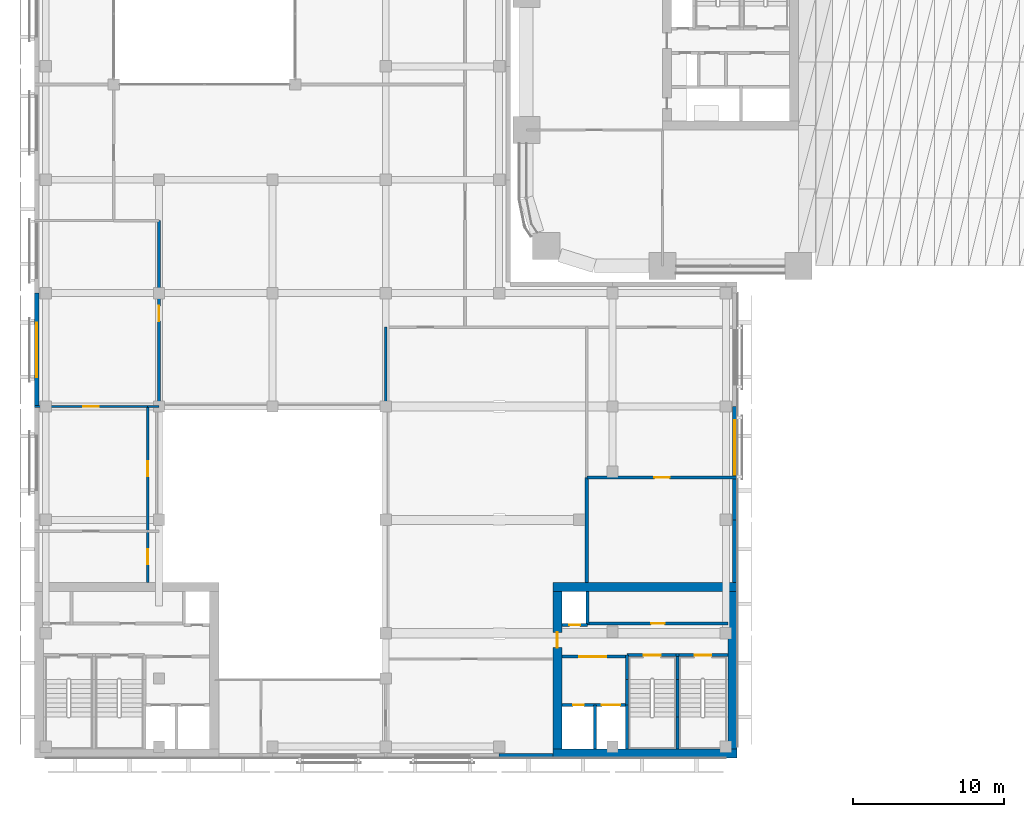
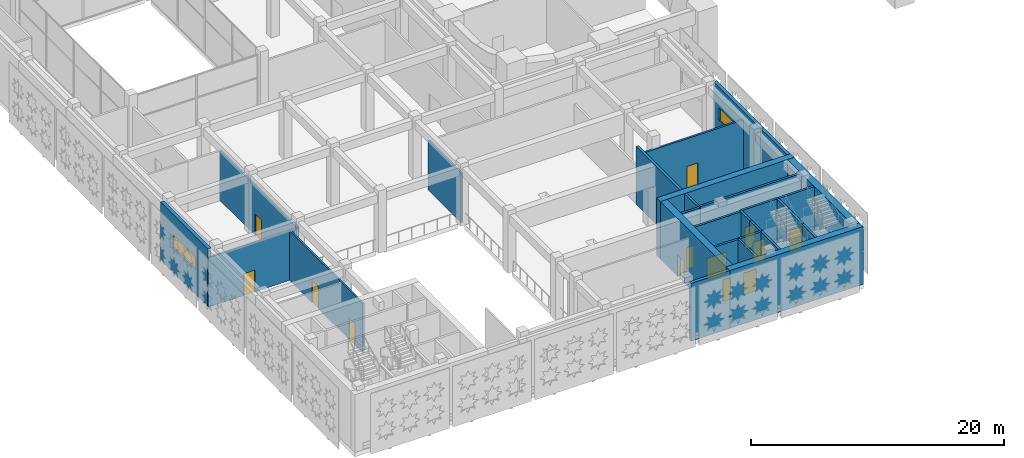
# One storey, part 15 of 46: 30 walls, 13 doors, 2 windows, 15 openings.
"""IFC4 building model written with IfcOpenShell, lengths in metres."""

from ifc_helpers import new_model, si_unit, direction, frame, frame_2d, origin, place, context, subcontext, project, spatial, rectangle, extrude, material, layer, layer_set, type_object, element, fill, save


model = new_model("IFC4")

# Units and contexts
model_context = context("Model", 3, precision=1e-05, world=origin(), true_north=direction((0.0, 1.0)))
body_context = subcontext(model_context, "Body", "Model", "MODEL_VIEW")
ifc_project = project(units=[si_unit("LENGTHUNIT", "METRE"), si_unit("AREAUNIT", "SQUARE_METRE"), si_unit("VOLUMEUNIT", "CUBIC_METRE"), si_unit("PLANEANGLEUNIT", "RADIAN"), si_unit("MASSUNIT", "GRAM", prefix="KILO")], contexts=[model_context])

# Site, building, storey
site_placement = place(None, origin())
site = spatial("IfcSite", under=ifc_project, at=site_placement, CompositionType="ELEMENT")
building_placement = place(site_placement, origin())
building = spatial("IfcBuilding", under=site, at=building_placement, Name="Tessera Arch", CompositionType="ELEMENT")
storey_placement = place(building_placement, frame((0.0, 0.0, 8.0)))
storey = spatial("IfcBuildingStorey", under=building, at=storey_placement, Name="L01", CompositionType="ELEMENT", Elevation=8.0)

# Wall, opening, door
ifc_material_1 = material(Name="Gypsum board on steel stud", Category="steel")
ifc_layer_1 = layer(ifc_material_1, 0.125)
ifc_layer_set_1 = layer_set([ifc_layer_1], Name="Core partition 125 EI 60")
wall_type_1 = type_object("IfcWallType", Name="Core partition 125 EI 60", PredefinedType="PARTITIONING", material=ifc_layer_set_1)
wall_1_placement = place(storey_placement, frame((2.35009765625, -25.85009765625, 0.0), z_axis=(0.0, 0.0, 1.0), x_axis=(1.0, 0.0, 0.0)))
wall_1 = element("IfcWall", 1, at=wall_1_placement, inside=storey, type_object=wall_type_1, Name="L01 M3 partition wall 10", PredefinedType="PARTITIONING", context=body_context, shape_type="SweptSolid", body=[
    extrude(rectangle(XDim=4.2998046875, YDim=0.199951171875, at=frame_2d((2.14990234375, 0.0))), origin(), (0.0, 0.0, 1.0), 5.590087890625),
])
opening_1_placement = place(wall_1_placement, frame((1.14990234375, 0.0, 0.0)))
opening_1 = element("IfcOpeningElement", 2, at=opening_1_placement, cuts=wall_1, Name="Opening L01-C64", PredefinedType="OPENING", context=body_context, shape_type="SweptSolid", body=[
    extrude(rectangle(XDim=1.800048828125, YDim=2.10009765625, at=frame_2d((0.89990234375, 1.050048828125))), frame((0.0, 0.10986328125, 0.0), z_axis=(0.0, -1.0, 0.0), x_axis=(1.0, 0.0, 0.0)), (0.0, 0.0, 1.0), 0.219970703125),
])
ifc_material_2 = material(Name="Glazed steel door leaf", Category="steel")
door_type_1 = type_object("IfcDoorType", Name="Lobby double door FD30S 1800 x 2100", OperationType="DOUBLE_DOOR_SINGLE_SWING", PredefinedType="DOOR", material=ifc_material_2)
door_1_placement = place(opening_1_placement, origin())
door_1 = element("IfcDoor", 3, at=door_1_placement, inside=storey, type_object=door_type_1, Name="L01 M3 door 4 C64 type D06", OperationType="DOUBLE_DOOR_SINGLE_SWING", OverallHeight=2.10009765625, OverallWidth=1.800048828125, PredefinedType="DOOR", context=body_context, shape_type="SweptSolid", body=[
    extrude(rectangle(XDim=1.800048828125, YDim=2.10009765625, at=frame_2d((0.89990234375, 1.050048828125))), frame((0.0, 0.02490234375, 0.0), z_axis=(0.0, -1.0, 0.0), x_axis=(1.0, 0.0, 0.0)), (0.0, 0.0, 1.0), 0.050048828125),
])
fill(opening_1, door_1)

wall_2_placement = place(storey_placement, frame((4.050048828125, -23.64990234375, 0.0), z_axis=(0.0, 0.0, 1.0), x_axis=(1.0, 0.0, 0.0)))
wall_2 = element("IfcWall", 4, at=wall_2_placement, inside=storey, type_object=wall_type_1, Name="L01 M3 partition wall 14", PredefinedType="PARTITIONING", context=body_context, shape_type="SweptSolid", body=[
    extrude(rectangle(XDim=9.300048828125, YDim=0.199951171875, at=frame_2d((4.64990234375, 0.0))), origin(), (0.0, 0.0, 1.0), 5.590087890625),
])
opening_2_placement = place(wall_2_placement, frame((4.199951171875, 0.0, 0.0)))
opening_2 = element("IfcOpeningElement", 5, at=opening_2_placement, cuts=wall_2, Name="Opening L01-C68", PredefinedType="OPENING", context=body_context, shape_type="SweptSolid", body=[
    extrude(rectangle(XDim=0.89990234375, YDim=2.10009765625, at=frame_2d((0.449951171875, 1.050048828125))), frame((0.0, 0.10986328125, 0.0), z_axis=(0.0, -1.0, 0.0), x_axis=(1.0, 0.0, 0.0)), (0.0, 0.0, 1.0), 0.219970703125),
])
ifc_material_3 = material(Name="Steel door leaf", Category="steel")
door_type_2 = type_object("IfcDoorType", Name="Store door FD30S 900 x 2100", OperationType="SINGLE_SWING_LEFT", PredefinedType="DOOR", material=ifc_material_3)
door_2_placement = place(opening_2_placement, origin())
door_2 = element("IfcDoor", 6, at=door_2_placement, inside=storey, type_object=door_type_2, Name="L01 M3 door 8 C68 type D09", OperationType="SINGLE_SWING_LEFT", OverallHeight=2.10009765625, OverallWidth=0.89990234375, PredefinedType="DOOR", context=body_context, shape_type="SweptSolid", body=[
    extrude(rectangle(XDim=0.89990234375, YDim=2.10009765625, at=frame_2d((0.449951171875, 1.050048828125))), frame((0.0, 0.02490234375, 0.0), z_axis=(0.0, -1.0, 0.0), x_axis=(1.0, 0.0, 0.0)), (0.0, 0.0, 1.0), 0.050048828125),
])
fill(opening_2, door_2)

# Walls
ifc_material_4 = material(Name="Concrete C70/85", Category="concrete")
ifc_layer_2 = layer(ifc_material_4, 0.60009765625)
ifc_layer_set_2 = layer_set([ifc_layer_2], Name="Core shell wall 600 C70-85")
wall_type_2 = type_object("IfcWallType", Name="Core shell wall 600 C70-85", PredefinedType="SHEAR", material=ifc_layer_set_2)
for number, where, z_axis, x_axis, name in (
    (7, (1.75, -32.25, 0.0), (0.0, 0.0, 1.0), (1.0, 0.0, 0.0), "L01 M3 core wall S"),
    (8, (1.75, -21.25, 0.0), (0.0, 0.0, 1.0), (1.0, 0.0, 0.0), "L01 M3 core wall N"),
):
    element("IfcWall", number, at=place(storey_placement, frame(where, z_axis=z_axis, x_axis=x_axis)), inside=storey, type_object=wall_type_2, Name=name, PredefinedType="SHEAR", context=body_context, shape_type="SweptSolid", body=[
        extrude(rectangle(XDim=12.199951171875, YDim=0.60009765625, at=frame_2d((6.10009765625, 0.0))), origin(), (0.0, 0.0, 1.0), 5.590087890625),
    ])

# Wall, opening, door
wall_3_placement = place(storey_placement, frame((2.050048828125, -31.949951171875, 0.0), z_axis=(0.0, 0.0, 1.0), x_axis=(0.0, 1.0, 0.0)))
wall_3 = element("IfcWall", 9, at=wall_3_placement, inside=storey, type_object=wall_type_2, Name="L01 M3 core wall W", PredefinedType="SHEAR", context=body_context, shape_type="SweptSolid", body=[
    extrude(rectangle(XDim=10.39990234375, YDim=0.60009765625, at=frame_2d((5.199951171875, 0.0))), origin(), (0.0, 0.0, 1.0), 5.590087890625),
])
opening_3_placement = place(wall_3_placement, frame((6.699951171875, 0.0, 0.0)))
opening_3 = element("IfcOpeningElement", 10, at=opening_3_placement, cuts=wall_3, Name="Opening L01-C67", PredefinedType="OPENING", context=body_context, shape_type="SweptSolid", body=[
    extrude(rectangle(XDim=1.0, YDim=2.10009765625, at=frame_2d((0.5, 1.050048828125))), frame((0.0, 0.31005859375, 0.0), z_axis=(0.0, -1.0, 0.0), x_axis=(1.0, 0.0, 0.0)), (0.0, 0.0, 1.0), 0.6201171875),
])
ifc_material_5 = material(Name="Steel door leaf", Category="steel")
door_type_3 = type_object("IfcDoorType", Name="Corridor door FD60 1000 x 2100", OperationType="SINGLE_SWING_LEFT", PredefinedType="DOOR", material=ifc_material_5)
door_3_placement = place(opening_3_placement, origin())
door_3 = element("IfcDoor", 11, at=door_3_placement, inside=storey, type_object=door_type_3, Name="L01 M3 door 7 C67 type D12", OperationType="SINGLE_SWING_RIGHT", OverallHeight=2.10009765625, OverallWidth=1.0, PredefinedType="DOOR", context=body_context, shape_type="SweptSolid", body=[
    extrude(rectangle(XDim=1.0, YDim=2.10009765625, at=frame_2d((0.5, 1.050048828125))), frame((0.0, 0.02490234375, 0.0), z_axis=(0.0, -1.0, 0.0), x_axis=(1.0, 0.0, 0.0)), (0.0, 0.0, 1.0), 0.050048828125),
])
fill(opening_3, door_3)

# Wall
wall_4_placement = place(storey_placement, frame((13.64990234375, -31.949951171875, 0.0), z_axis=(0.0, 0.0, 1.0), x_axis=(0.0, 1.0, 0.0)))
element("IfcWall", 12, at=wall_4_placement, inside=storey, type_object=wall_type_2, Name="L01 M3 core wall E", PredefinedType="SHEAR", context=body_context, shape_type="SweptSolid", body=[
    extrude(rectangle(XDim=10.39990234375, YDim=0.60009765625, at=frame_2d((5.199951171875, 0.0))), origin(), (0.0, 0.0, 1.0), 5.590087890625),
])

# Wall, opening, door
ifc_material_6 = material(Name="Gypsum board on deep steel stud with mineral wool", Category="steel")
ifc_layer_3 = layer(ifc_material_6, 0.175048828125)
ifc_layer_set_3 = layer_set([ifc_layer_3], Name="Corridor wall 175 EI 60")
wall_type_3 = type_object("IfcWallType", Name="Corridor wall 175 EI 60", PredefinedType="PARTITIONING", material=ifc_layer_set_3)
wall_5_placement = place(storey_placement, frame((4.0, -14.0, 0.0), z_axis=(0.0, 0.0, 1.0), x_axis=(1.0, 0.0, 0.0)))
wall_5 = element("IfcWall", 13, at=wall_5_placement, inside=storey, type_object=wall_type_3, Name="L01 partition 1", PredefinedType="PARTITIONING", context=body_context, shape_type="SweptSolid", body=[
    extrude(rectangle(XDim=9.949951171875, YDim=0.175048828125, at=frame_2d((4.97509765625, 0.0))), origin(), (0.0, 0.0, 1.0), 4.7900390625),
])
opening_4_placement = place(wall_5_placement, frame((4.47509765625, 0.0, 0.0)))
opening_4 = element("IfcOpeningElement", 14, at=opening_4_placement, cuts=wall_5, Name="Opening L01-D023", PredefinedType="OPENING", context=body_context, shape_type="SweptSolid", body=[
    extrude(rectangle(XDim=1.0, YDim=2.10009765625, at=frame_2d((0.5, 1.050048828125))), frame((0.0, 0.097412109375, 0.0), z_axis=(0.0, -1.0, 0.0), x_axis=(1.0, 0.0, 0.0)), (0.0, 0.0, 1.0), 0.195068359375),
])
ifc_material_7 = material(Name="Fire-rated door leaf")
door_type_4 = type_object("IfcDoorType", Name="Entrance door FD60 1000 x 2100", OperationType="SINGLE_SWING_LEFT", PredefinedType="DOOR", material=ifc_material_7)
door_4_placement = place(opening_4_placement, origin())
door_4 = element("IfcDoor", 15, at=door_4_placement, inside=storey, type_object=door_type_4, Name="L01 door D023 type D16", OperationType="SINGLE_SWING_LEFT", OverallHeight=2.10009765625, OverallWidth=1.0, PredefinedType="DOOR", context=body_context, shape_type="SweptSolid", body=[
    extrude(rectangle(XDim=1.0, YDim=2.10009765625, at=frame_2d((0.5, 1.050048828125))), frame((0.0, 0.02490234375, 0.0), z_axis=(0.0, -1.0, 0.0), x_axis=(1.0, 0.0, 0.0)), (0.0, 0.0, 1.0), 0.050048828125),
])
fill(opening_4, door_4)

wall_6_placement = place(storey_placement, frame((-24.300048828125, -9.300048828125, 0.0), z_axis=(0.0, 0.0, 1.0), x_axis=(0.0, 1.0, 0.0)))
wall_6 = element("IfcWall", 16, at=wall_6_placement, inside=storey, type_object=wall_type_3, Name="L01 partition 16", PredefinedType="PARTITIONING", context=body_context, shape_type="SweptSolid", body=[
    extrude(rectangle(XDim=12.300048828125, YDim=0.175048828125, at=frame_2d((6.14990234375, 0.0))), origin(), (0.0, 0.0, 1.0), 4.7900390625),
])
opening_5_placement = place(wall_6_placement, frame((5.64990234375, 0.0, 0.0)))
opening_5 = element("IfcOpeningElement", 17, at=opening_5_placement, cuts=wall_6, Name="Opening L01-D016", PredefinedType="OPENING", context=body_context, shape_type="SweptSolid", body=[
    extrude(rectangle(XDim=1.0, YDim=2.10009765625, at=frame_2d((0.5, 1.050048828125))), frame((0.0, 0.097412109375, 0.0), z_axis=(0.0, -1.0, 0.0), x_axis=(1.0, 0.0, 0.0)), (0.0, 0.0, 1.0), 0.195068359375),
])
ifc_material_8 = material(Name="Fire-rated door leaf")
door_type_5 = type_object("IfcDoorType", Name="Entrance door FD30S 1000 x 2100", OperationType="SINGLE_SWING_LEFT", PredefinedType="DOOR", material=ifc_material_8)
door_5_placement = place(opening_5_placement, origin())
door_5 = element("IfcDoor", 18, at=door_5_placement, inside=storey, type_object=door_type_5, Name="L01 door D016 type D03", OperationType="SINGLE_SWING_RIGHT", OverallHeight=2.10009765625, OverallWidth=1.0, PredefinedType="DOOR", context=body_context, shape_type="SweptSolid", body=[
    extrude(rectangle(XDim=1.0, YDim=2.10009765625, at=frame_2d((0.5, 1.050048828125))), frame((0.0, 0.02490234375, 0.0), z_axis=(0.0, -1.0, 0.0), x_axis=(1.0, 0.0, 0.0)), (0.0, 0.0, 1.0), 0.050048828125),
])
fill(opening_5, door_5)

# Walls
wall_7_placement = place(storey_placement, frame((-9.300048828125, -9.300048828125, 0.0), z_axis=(0.0, 0.0, 1.0), x_axis=(0.0, 1.0, 0.0)))
element("IfcWall", 19, at=wall_7_placement, inside=storey, type_object=wall_type_3, Name="L01 partition 17", PredefinedType="PARTITIONING", context=body_context, shape_type="SweptSolid", body=[
    extrude(rectangle(XDim=5.25, YDim=0.175048828125, at=frame_2d((2.625, 0.0))), origin(), (0.0, 0.0, 1.0), 4.7900390625),
])
ifc_material_9 = material(Name="Aluminium cladding pale metal anodised", Category="aluminium")
ifc_layer_4 = layer(ifc_material_9, 0.300048828125)
ifc_layer_set_4 = layer_set([ifc_layer_4], Name="Museum envelope wall pale metal")
wall_type_4 = type_object("IfcWallType", Name="Museum envelope wall pale metal", PredefinedType="SOLIDWALL", material=ifc_layer_set_4)
wall_8_placement = place(storey_placement, frame((-1.800048828125, -32.39990234375, 0.0), z_axis=(0.0, 0.0, 1.0), x_axis=(1.0, 0.0, 0.0)))
element("IfcWall", 20, at=wall_8_placement, inside=storey, type_object=wall_type_4, Name="Museum external wall pale metal mashrabiya pattern", PredefinedType="SOLIDWALL", context=body_context, shape_type="SweptSolid", body=[
    extrude(rectangle(XDim=3.550048828125, YDim=0.300048828125, at=frame_2d((1.77490234375, 0.0))), origin(), (0.0, 0.0, 1.0), 5.590087890625),
])
wall_9_placement = place(storey_placement, frame((13.800048828125, -20.949951171875, 0.0), z_axis=(0.0, 0.0, 1.0), x_axis=(0.0, 1.0, 0.0)))
element("IfcWall", 21, at=wall_9_placement, inside=storey, type_object=wall_type_4, Name="Museum external wall pale metal mashrabiya pattern", PredefinedType="SOLIDWALL", context=body_context, shape_type="SweptSolid", body=[
    extrude(rectangle(XDim=4.14990234375, YDim=0.300048828125, at=frame_2d((2.074951171875, 0.0))), origin(), (0.0, 0.0, 1.0), 5.590087890625),
])

# Wall, opening, window
wall_10_placement = place(storey_placement, frame((13.800048828125, -16.800048828125, 0.0), z_axis=(0.0, 0.0, 1.0), x_axis=(0.0, 1.0, 0.0)))
wall_10 = element("IfcWall", 22, at=wall_10_placement, inside=storey, type_object=wall_type_4, Name="Museum external wall pale metal mashrabiya pattern", PredefinedType="SOLIDWALL", context=body_context, shape_type="SweptSolid", body=[
    extrude(rectangle(XDim=7.5, YDim=0.300048828125, at=frame_2d((3.75, 0.0))), origin(), (0.0, 0.0, 1.0), 5.590087890625),
])
opening_6_placement = place(wall_10_placement, frame((3.0, 0.0, 2.39990234375)))
opening_6 = element("IfcOpeningElement", 23, at=opening_6_placement, cuts=wall_10, Name="Opening L01-MV14", PredefinedType="OPENING", context=body_context, shape_type="SweptSolid", body=[
    extrude(rectangle(XDim=3.60009765625, YDim=1.199951171875, at=frame_2d((1.800048828125, 0.60009765625))), frame((0.0, 0.159912109375, 0.0), z_axis=(0.0, -1.0, 0.0), x_axis=(1.0, 0.0, 0.0)), (0.0, 0.0, 1.0), 0.320068359375),
])
ifc_material_10 = material(Name="Clear low-e glass in aluminium frame", Category="aluminium")
window_type = type_object("IfcWindowType", Name="Museum clerestory window", PartitioningType="SINGLE_PANEL", PredefinedType="WINDOW", material=ifc_material_10)
window_1_placement = place(opening_6_placement, origin())
window_1 = element("IfcWindow", 24, at=window_1_placement, inside=storey, type_object=window_type, Name="Museum window L01 2-4", OverallHeight=1.199951171875, OverallWidth=3.60009765625, PartitioningType="SINGLE_PANEL", PredefinedType="WINDOW", context=body_context, shape_type="SweptSolid", body=[
    extrude(rectangle(XDim=3.60009765625, YDim=1.199951171875, at=frame_2d((1.800048828125, 0.60009765625))), frame((0.0, 0.030029296875, 0.0), z_axis=(0.0, -1.0, 0.0), x_axis=(1.0, 0.0, 0.0)), (0.0, 0.0, 1.0), 0.06005859375),
])
fill(opening_6, window_1)

wall_11_placement = place(storey_placement, frame((-32.39990234375, -1.800048828125, 0.0), z_axis=(0.0, 0.0, 1.0), x_axis=(0.0, -1.0, 0.0)))
wall_11 = element("IfcWall", 25, at=wall_11_placement, inside=storey, type_object=wall_type_4, Name="Museum external wall pale metal mashrabiya pattern", PredefinedType="SOLIDWALL", context=body_context, shape_type="SweptSolid", body=[
    extrude(rectangle(XDim=7.5, YDim=0.300048828125, at=frame_2d((3.75, 0.0))), origin(), (0.0, 0.0, 1.0), 5.590087890625),
])
opening_7_placement = place(wall_11_placement, frame((1.949951171875, 0.0, 2.39990234375)))
opening_7 = element("IfcOpeningElement", 26, at=opening_7_placement, cuts=wall_11, Name="Opening L01-MV24", PredefinedType="OPENING", context=body_context, shape_type="SweptSolid", body=[
    extrude(rectangle(XDim=3.60009765625, YDim=1.199951171875, at=frame_2d((1.800048828125, 0.60009765625))), frame((0.0, 0.159912109375, 0.0), z_axis=(0.0, -1.0, 0.0), x_axis=(1.0, 0.0, 0.0)), (0.0, 0.0, 1.0), 0.320068359375),
])
window_2_placement = place(opening_7_placement, origin())
window_2 = element("IfcWindow", 27, at=window_2_placement, inside=storey, type_object=window_type, Name="Museum window L01 6-10", OverallHeight=1.199951171875, OverallWidth=3.60009765625, PartitioningType="SINGLE_PANEL", PredefinedType="WINDOW", context=body_context, shape_type="SweptSolid", body=[
    extrude(rectangle(XDim=3.60009765625, YDim=1.199951171875, at=frame_2d((1.800048828125, 0.60009765625))), frame((0.0, 0.030029296875, 0.0), z_axis=(0.0, -1.0, 0.0), x_axis=(1.0, 0.0, 0.0)), (0.0, 0.0, 1.0), 0.06005859375),
])
fill(opening_7, window_2)

# Wall
ifc_material_11 = material(Name="Gypsum board on steel stud", Category="steel")
ifc_layer_5 = layer(ifc_material_11, 0.14990234375)
ifc_layer_set_5 = layer_set([ifc_layer_5], Name="Partition 150")
wall_type_5 = type_object("IfcWallType", Name="Partition 150", PredefinedType="PARTITIONING", material=ifc_layer_set_5)
wall_12_placement = place(storey_placement, frame((-25.050048828125, -9.300048828125, 0.0), z_axis=(0.0, 0.0, 1.0), x_axis=(1.0, 0.0, 0.0)))
element("IfcWall", 28, at=wall_12_placement, inside=storey, type_object=wall_type_5, Name="L01 partition 23", PredefinedType="PARTITIONING", context=body_context, shape_type="SweptSolid", body=[
    extrude(rectangle(XDim=0.75, YDim=0.14990234375, at=frame_2d((0.375, 0.0))), origin(), (0.0, 0.0, 1.0), 4.7900390625),
])

# Wall, opening, door
ifc_material_12 = material(Name="Gypsum board on steel stud", Category="steel")
ifc_layer_6 = layer(ifc_material_12, 0.14990234375)
ifc_layer_set_6 = layer_set([ifc_layer_6], Name="Partition 150 EI 30")
wall_type_6 = type_object("IfcWallType", Name="Partition 150 EI 30", PredefinedType="PARTITIONING", material=ifc_layer_set_6)
wall_13_placement = place(storey_placement, frame((-32.550048828125, -9.300048828125, 0.0), z_axis=(0.0, 0.0, 1.0), x_axis=(1.0, 0.0, 0.0)))
wall_13 = element("IfcWall", 29, at=wall_13_placement, inside=storey, type_object=wall_type_6, Name="L01 partition 30", PredefinedType="PARTITIONING", context=body_context, shape_type="SweptSolid", body=[
    extrude(rectangle(XDim=7.5, YDim=0.14990234375, at=frame_2d((3.75, 0.0))), origin(), (0.0, 0.0, 1.0), 4.7900390625),
])
opening_8_placement = place(wall_13_placement, frame((3.25, 0.0, 0.0)))
opening_8 = element("IfcOpeningElement", 30, at=opening_8_placement, cuts=wall_13, Name="Opening L01-D020", PredefinedType="OPENING", context=body_context, shape_type="SweptSolid", body=[
    extrude(rectangle(XDim=1.0, YDim=2.10009765625, at=frame_2d((0.5, 1.050048828125))), frame((0.0, 0.0849609375, 0.0), z_axis=(0.0, -1.0, 0.0), x_axis=(1.0, 0.0, 0.0)), (0.0, 0.0, 1.0), 0.169921875),
])
door_6_placement = place(opening_8_placement, origin())
door_6 = element("IfcDoor", 31, at=door_6_placement, inside=storey, type_object=door_type_5, Name="L01 door D020 type D03", OperationType="SINGLE_SWING_LEFT", OverallHeight=2.10009765625, OverallWidth=1.0, PredefinedType="DOOR", context=body_context, shape_type="SweptSolid", body=[
    extrude(rectangle(XDim=1.0, YDim=2.10009765625, at=frame_2d((0.5, 1.050048828125))), frame((0.0, 0.02490234375, 0.0), z_axis=(0.0, -1.0, 0.0), x_axis=(1.0, 0.0, 0.0)), (0.0, 0.0, 1.0), 0.050048828125),
])
fill(opening_8, door_6)

# Wall, openings, doors
wall_14_placement = place(storey_placement, frame((-25.050048828125, -20.949951171875, 0.0), z_axis=(0.0, 0.0, 1.0), x_axis=(0.0, 1.0, 0.0)))
wall_14 = element("IfcWall", 32, at=wall_14_placement, inside=storey, type_object=wall_type_6, Name="L01 partition 32", PredefinedType="PARTITIONING", context=body_context, shape_type="SweptSolid", body=[
    extrude(rectangle(XDim=11.64990234375, YDim=0.14990234375, at=frame_2d((5.824951171875, 0.0))), origin(), (0.0, 0.0, 1.0), 4.7900390625),
])
opening_9_placement = place(wall_14_placement, frame((7.02490234375, 0.0, 0.0)))
opening_9 = element("IfcOpeningElement", 33, at=opening_9_placement, cuts=wall_14, Name="Opening L01-D021", PredefinedType="OPENING", context=body_context, shape_type="SweptSolid", body=[
    extrude(rectangle(XDim=1.0, YDim=2.10009765625, at=frame_2d((0.5, 1.050048828125))), frame((0.0, 0.0849609375, 0.0), z_axis=(0.0, -1.0, 0.0), x_axis=(1.0, 0.0, 0.0)), (0.0, 0.0, 1.0), 0.169921875),
])
opening_10_placement = place(wall_14_placement, frame((1.199951171875, 0.0, 0.0)))
opening_10 = element("IfcOpeningElement", 34, at=opening_10_placement, cuts=wall_14, Name="Opening L01-D029", PredefinedType="OPENING", context=body_context, shape_type="SweptSolid", body=[
    extrude(rectangle(XDim=1.0, YDim=2.10009765625, at=frame_2d((0.5, 1.050048828125))), frame((0.0, 0.0849609375, 0.0), z_axis=(0.0, -1.0, 0.0), x_axis=(1.0, 0.0, 0.0)), (0.0, 0.0, 1.0), 0.169921875),
])
door_7_placement = place(opening_9_placement, origin())
door_7 = element("IfcDoor", 35, at=door_7_placement, inside=storey, type_object=door_type_5, Name="L01 door D021 type D03", OperationType="SINGLE_SWING_LEFT", OverallHeight=2.10009765625, OverallWidth=1.0, PredefinedType="DOOR", context=body_context, shape_type="SweptSolid", body=[
    extrude(rectangle(XDim=1.0, YDim=2.10009765625, at=frame_2d((0.5, 1.050048828125))), frame((0.0, 0.02490234375, 0.0), z_axis=(0.0, -1.0, 0.0), x_axis=(1.0, 0.0, 0.0)), (0.0, 0.0, 1.0), 0.050048828125),
])
fill(opening_9, door_7)
door_8_placement = place(opening_10_placement, origin())
door_8 = element("IfcDoor", 36, at=door_8_placement, inside=storey, type_object=door_type_5, Name="L01 door D029 type D03", OperationType="SINGLE_SWING_LEFT", OverallHeight=2.10009765625, OverallWidth=1.0, PredefinedType="DOOR", context=body_context, shape_type="SweptSolid", body=[
    extrude(rectangle(XDim=1.0, YDim=2.10009765625, at=frame_2d((0.5, 1.050048828125))), frame((0.0, 0.02490234375, 0.0), z_axis=(0.0, -1.0, 0.0), x_axis=(1.0, 0.0, 0.0)), (0.0, 0.0, 1.0), 0.050048828125),
])
fill(opening_10, door_8)

# Walls
ifc_material_13 = material(Name="Double gypsum board on twin steel stud with acoustic mineral wool", Category="steel")
ifc_layer_7 = layer(ifc_material_13, 0.25)
ifc_layer_set_7 = layer_set([ifc_layer_7], Name="Party wall 250 EI 60")
wall_type_7 = type_object("IfcWallType", Name="Party wall 250 EI 60", PredefinedType="PARTITIONING", material=ifc_layer_set_7)
wall_15_placement = place(storey_placement, frame((4.0, -20.949951171875, 0.0), z_axis=(0.0, 0.0, 1.0), x_axis=(0.0, 1.0, 0.0)))
element("IfcWall", 37, at=wall_15_placement, inside=storey, type_object=wall_type_7, Name="L01 partition 39", PredefinedType="PARTITIONING", context=body_context, shape_type="SweptSolid", body=[
    extrude(rectangle(XDim=6.949951171875, YDim=0.25, at=frame_2d((3.47509765625, 0.0))), origin(), (0.0, 0.0, 1.0), 5.590087890625),
])
ifc_material_14 = material(Name="Concrete C40/50", Category="concrete")
ifc_layer_8 = layer(ifc_material_14, 0.199951171875)
ifc_layer_set_8 = layer_set([ifc_layer_8], Name="Shaft wall 200 EI 120")
wall_type_8 = type_object("IfcWallType", Name="Shaft wall 200 EI 120", PredefinedType="SOLIDWALL", material=ifc_layer_set_8)
wall_16_placement = place(storey_placement, frame((4.050048828125, -23.75, 0.0), z_axis=(0.0, 0.0, 1.0), x_axis=(0.0, 1.0, 0.0)))
element("IfcWall", 38, at=wall_16_placement, inside=storey, type_object=wall_type_8, Name="L01 M3 shaft wall 1", PredefinedType="SOLIDWALL", context=body_context, shape_type="SweptSolid", body=[
    extrude(rectangle(XDim=2.199951171875, YDim=0.199951171875, at=frame_2d((1.10009765625, 0.0))), origin(), (0.0, 0.0, 1.0), 5.590087890625),
])
for number, where, z_axis, x_axis, name in (
    (39, (4.550048828125, -31.949951171875, 0.0), (0.0, 0.0, 1.0), (0.0, 1.0, 0.0), "L01 M3 shaft wall 2"),
    (40, (6.64990234375, -31.949951171875, 0.0), (0.0, 0.0, 1.0), (0.0, 1.0, 0.0), "L01 M3 shaft wall 3"),
):
    element("IfcWall", number, at=place(storey_placement, frame(where, z_axis=z_axis, x_axis=x_axis)), inside=storey, type_object=wall_type_8, Name=name, PredefinedType="SOLIDWALL", context=body_context, shape_type="SweptSolid", body=[
        extrude(rectangle(XDim=2.89990234375, YDim=0.199951171875, at=frame_2d((1.449951171875, 0.0))), origin(), (0.0, 0.0, 1.0), 5.590087890625),
    ])

# Wall, openings, doors
wall_17_placement = place(storey_placement, frame((2.35009765625, -29.050048828125, 0.0), z_axis=(0.0, 0.0, 1.0), x_axis=(1.0, 0.0, 0.0)))
wall_17 = element("IfcWall", 41, at=wall_17_placement, inside=storey, type_object=wall_type_8, Name="L01 M3 shaft wall 9", PredefinedType="SOLIDWALL", context=body_context, shape_type="SweptSolid", body=[
    extrude(rectangle(XDim=4.2998046875, YDim=0.199951171875, at=frame_2d((2.14990234375, 0.0))), origin(), (0.0, 0.0, 1.0), 5.590087890625),
])
opening_11_placement = place(wall_17_placement, frame((2.64990234375, 0.0, 0.0)))
opening_11 = element("IfcOpeningElement", 42, at=opening_11_placement, cuts=wall_17, Name="Opening L01-C61", PredefinedType="OPENING", context=body_context, shape_type="SweptSolid", body=[
    extrude(rectangle(XDim=1.199951171875, YDim=2.10009765625, at=frame_2d((0.60009765625, 1.050048828125))), frame((0.0, 0.10986328125, 0.0), z_axis=(0.0, -1.0, 0.0), x_axis=(1.0, 0.0, 0.0)), (0.0, 0.0, 1.0), 0.219970703125),
])
opening_12_placement = place(wall_17_placement, frame((0.75, 0.0, 0.0)))
opening_12 = element("IfcOpeningElement", 43, at=opening_12_placement, cuts=wall_17, Name="Opening L01-C66", PredefinedType="OPENING", context=body_context, shape_type="SweptSolid", body=[
    extrude(rectangle(XDim=0.699951171875, YDim=2.10009765625, at=frame_2d((0.35009765625, 1.050048828125))), frame((0.0, 0.10986328125, 0.0), z_axis=(0.0, -1.0, 0.0), x_axis=(1.0, 0.0, 0.0)), (0.0, 0.0, 1.0), 0.219970703125),
])
ifc_material_15 = material(Name="Steel door leaf", Category="steel")
door_type_6 = type_object("IfcDoorType", Name="Service shaft door FD60 700 x 2100", OperationType="SINGLE_SWING_LEFT", PredefinedType="DOOR", material=ifc_material_15)
door_9_placement = place(opening_12_placement, origin())
door_9 = element("IfcDoor", 44, at=door_9_placement, inside=storey, type_object=door_type_6, Name="L01 M3 door 6 C66 type D07", OperationType="SINGLE_SWING_LEFT", OverallHeight=2.10009765625, OverallWidth=0.699951171875, PredefinedType="DOOR", context=body_context, shape_type="SweptSolid", body=[
    extrude(rectangle(XDim=0.699951171875, YDim=2.10009765625, at=frame_2d((0.35009765625, 1.050048828125))), frame((0.0, 0.02490234375, 0.0), z_axis=(0.0, -1.0, 0.0), x_axis=(1.0, 0.0, 0.0)), (0.0, 0.0, 1.0), 0.050048828125),
])
fill(opening_12, door_9)
ifc_material_16 = material(Name="Stainless steel AISI 304", Category="steel")
door_type_7 = type_object("IfcDoorType", Name="Sliding landing door 1200 x 2100", OperationType="SLIDING_TO_LEFT", PredefinedType="DOOR", material=ifc_material_16)
door_10_placement = place(opening_11_placement, origin())
door_10 = element("IfcDoor", 45, at=door_10_placement, inside=storey, type_object=door_type_7, Name="L01 ML4 lift landing door C61 type LD", OperationType="SLIDING_TO_LEFT", OverallHeight=2.10009765625, OverallWidth=1.199951171875, PredefinedType="DOOR", context=body_context, shape_type="SweptSolid", body=[
    extrude(rectangle(XDim=1.199951171875, YDim=2.10009765625, at=frame_2d((0.60009765625, 1.050048828125))), frame((0.0, 0.02490234375, 0.0), z_axis=(0.0, -1.0, 0.0), x_axis=(1.0, 0.0, 0.0)), (0.0, 0.0, 1.0), 0.050048828125),
])
fill(opening_11, door_10)

# Wall, opening, door
wall_18_placement = place(storey_placement, frame((2.35009765625, -23.75, 0.0), z_axis=(0.0, 0.0, 1.0), x_axis=(1.0, 0.0, 0.0)))
wall_18 = element("IfcWall", 46, at=wall_18_placement, inside=storey, type_object=wall_type_8, Name="L01 M3 shaft wall 15", PredefinedType="SOLIDWALL", context=body_context, shape_type="SweptSolid", body=[
    extrude(rectangle(XDim=1.699951171875, YDim=0.199951171875, at=frame_2d((0.85009765625, 0.0))), origin(), (0.0, 0.0, 1.0), 5.590087890625),
])
opening_13_placement = place(wall_18_placement, frame((0.5, 0.0, 0.0)))
opening_13 = element("IfcOpeningElement", 47, at=opening_13_placement, cuts=wall_18, Name="Opening L01-C65", PredefinedType="OPENING", context=body_context, shape_type="SweptSolid", body=[
    extrude(rectangle(XDim=0.699951171875, YDim=2.10009765625, at=frame_2d((0.35009765625, 1.050048828125))), frame((0.0, 0.10986328125, 0.0), z_axis=(0.0, -1.0, 0.0), x_axis=(1.0, 0.0, 0.0)), (0.0, 0.0, 1.0), 0.219970703125),
])
door_11_placement = place(opening_13_placement, origin())
door_11 = element("IfcDoor", 48, at=door_11_placement, inside=storey, type_object=door_type_6, Name="L01 M3 door 5 C65 type D07", OperationType="SINGLE_SWING_RIGHT", OverallHeight=2.10009765625, OverallWidth=0.699951171875, PredefinedType="DOOR", context=body_context, shape_type="SweptSolid", body=[
    extrude(rectangle(XDim=0.699951171875, YDim=2.10009765625, at=frame_2d((0.35009765625, 1.050048828125))), frame((0.0, 0.02490234375, 0.0), z_axis=(0.0, -1.0, 0.0), x_axis=(1.0, 0.0, 0.0)), (0.0, 0.0, 1.0), 0.050048828125),
])
fill(opening_13, door_11)

# Walls
ifc_material_17 = material(Name="Concrete C40/50", Category="concrete")
ifc_layer_9 = layer(ifc_material_17, 0.199951171875)
ifc_layer_set_9 = layer_set([ifc_layer_9], Name="Stair well wall 200 REI 180")
wall_type_9 = type_object("IfcWallType", Name="Stair well wall 200 REI 180", PredefinedType="SOLIDWALL", material=ifc_layer_set_9)
wall_19_placement = place(storey_placement, frame((6.64990234375, -29.050048828125, 0.0), z_axis=(0.0, 0.0, 1.0), x_axis=(0.0, 1.0, 0.0)))
element("IfcWall", 49, at=wall_19_placement, inside=storey, type_object=wall_type_9, Name="L01 M3 shaft wall 4", PredefinedType="SOLIDWALL", context=body_context, shape_type="SweptSolid", body=[
    extrude(rectangle(XDim=1.699951171875, YDim=0.199951171875, at=frame_2d((0.85009765625, 0.0))), origin(), (0.0, 0.0, 1.0), 5.590087890625),
])
wall_20_placement = place(storey_placement, frame((6.64990234375, -27.35009765625, 0.0), z_axis=(0.0, 0.0, 1.0), x_axis=(0.0, 1.0, 0.0)))
element("IfcWall", 50, at=wall_20_placement, inside=storey, type_object=wall_type_9, Name="L01 M3 shaft wall 5", PredefinedType="SOLIDWALL", context=body_context, shape_type="SweptSolid", body=[
    extrude(rectangle(XDim=1.60009765625, YDim=0.199951171875, at=frame_2d((0.800048828125, 0.0))), origin(), (0.0, 0.0, 1.0), 5.590087890625),
])
wall_21_placement = place(storey_placement, frame((10.0, -31.949951171875, 0.0), z_axis=(0.0, 0.0, 1.0), x_axis=(0.0, 1.0, 0.0)))
element("IfcWall", 51, at=wall_21_placement, inside=storey, type_object=wall_type_9, Name="L01 M3 shaft wall 6", PredefinedType="SOLIDWALL", context=body_context, shape_type="SweptSolid", body=[
    extrude(rectangle(XDim=2.119873046875, YDim=0.199951171875, at=frame_2d((1.06005859375, 0.0))), origin(), (0.0, 0.0, 1.0), 5.590087890625),
])
wall_22_placement = place(storey_placement, frame((10.0, -29.830078125, 0.0), z_axis=(0.0, 0.0, 1.0), x_axis=(0.0, 1.0, 0.0)))
element("IfcWall", 52, at=wall_22_placement, inside=storey, type_object=wall_type_9, Name="L01 M3 shaft wall 7", PredefinedType="SOLIDWALL", context=body_context, shape_type="SweptSolid", body=[
    extrude(rectangle(XDim=2.47998046875, YDim=0.199951171875, at=frame_2d((1.239990234375, 0.0))), origin(), (0.0, 0.0, 1.0), 5.590087890625),
])
wall_23_placement = place(storey_placement, frame((10.0, -27.35009765625, 0.0), z_axis=(0.0, 0.0, 1.0), x_axis=(0.0, 1.0, 0.0)))
element("IfcWall", 53, at=wall_23_placement, inside=storey, type_object=wall_type_9, Name="L01 M3 shaft wall 8", PredefinedType="SOLIDWALL", context=body_context, shape_type="SweptSolid", body=[
    extrude(rectangle(XDim=1.60009765625, YDim=0.199951171875, at=frame_2d((0.800048828125, 0.0))), origin(), (0.0, 0.0, 1.0), 5.590087890625),
])

# Wall, opening, door
wall_24_placement = place(storey_placement, frame((6.64990234375, -25.75, 0.0), z_axis=(0.0, 0.0, 1.0), x_axis=(1.0, 0.0, 0.0)))
wall_24 = element("IfcWall", 54, at=wall_24_placement, inside=storey, type_object=wall_type_9, Name="L01 M3 shaft wall 11", PredefinedType="SOLIDWALL", context=body_context, shape_type="SweptSolid", body=[
    extrude(rectangle(XDim=3.25, YDim=0.199951171875, at=frame_2d((1.625, 0.0))), origin(), (0.0, 0.0, 1.0), 5.590087890625),
])
opening_14_placement = place(wall_24_placement, frame((1.125, 0.0, 0.0)))
opening_14 = element("IfcOpeningElement", 55, at=opening_14_placement, cuts=wall_24, Name="Opening L01-C63", PredefinedType="OPENING", context=body_context, shape_type="SweptSolid", body=[
    extrude(rectangle(XDim=1.10009765625, YDim=2.10009765625, at=frame_2d((0.550048828125, 1.050048828125))), frame((0.0, 0.10986328125, 0.0), z_axis=(0.0, -1.0, 0.0), x_axis=(1.0, 0.0, 0.0)), (0.0, 0.0, 1.0), 0.219970703125),
])
ifc_material_18 = material(Name="Steel door leaf", Category="steel")
door_type_8 = type_object("IfcDoorType", Name="Stair door FD60 1100 x 2100", OperationType="SINGLE_SWING_LEFT", PredefinedType="DOOR", material=ifc_material_18)
door_12_placement = place(opening_14_placement, origin())
door_12 = element("IfcDoor", 56, at=door_12_placement, inside=storey, type_object=door_type_8, Name="L01 M3 door 3 C63 type D05", OperationType="SINGLE_SWING_RIGHT", OverallHeight=2.10009765625, OverallWidth=1.10009765625, PredefinedType="DOOR", context=body_context, shape_type="SweptSolid", body=[
    extrude(rectangle(XDim=1.10009765625, YDim=2.10009765625, at=frame_2d((0.550048828125, 1.050048828125))), frame((0.0, 0.02490234375, 0.0), z_axis=(0.0, -1.0, 0.0), x_axis=(1.0, 0.0, 0.0)), (0.0, 0.0, 1.0), 0.050048828125),
])
fill(opening_14, door_12)

# Wall
wall_25_placement = place(storey_placement, frame((9.89990234375, -25.75, 0.0), z_axis=(0.0, 0.0, 1.0), x_axis=(1.0, 0.0, 0.0)))
element("IfcWall", 57, at=wall_25_placement, inside=storey, type_object=wall_type_9, Name="L01 M3 shaft wall 12", PredefinedType="SOLIDWALL", context=body_context, shape_type="SweptSolid", body=[
    extrude(rectangle(XDim=0.2001953125, YDim=0.199951171875, at=frame_2d((0.10009765625, 0.0))), origin(), (0.0, 0.0, 1.0), 5.590087890625),
])

# Wall, opening, door
wall_26_placement = place(storey_placement, frame((10.10009765625, -25.75, 0.0), z_axis=(0.0, 0.0, 1.0), x_axis=(1.0, 0.0, 0.0)))
wall_26 = element("IfcWall", 58, at=wall_26_placement, inside=storey, type_object=wall_type_9, Name="L01 M3 shaft wall 13", PredefinedType="SOLIDWALL", context=body_context, shape_type="SweptSolid", body=[
    extrude(rectangle(XDim=3.25, YDim=0.199951171875, at=frame_2d((1.625, 0.0))), origin(), (0.0, 0.0, 1.0), 5.590087890625),
])
opening_15_placement = place(wall_26_placement, frame((1.02490234375, 0.0, 0.0)))
opening_15 = element("IfcOpeningElement", 59, at=opening_15_placement, cuts=wall_26, Name="Opening L01-C62", PredefinedType="OPENING", context=body_context, shape_type="SweptSolid", body=[
    extrude(rectangle(XDim=1.10009765625, YDim=2.10009765625, at=frame_2d((0.550048828125, 1.050048828125))), frame((0.0, 0.10986328125, 0.0), z_axis=(0.0, -1.0, 0.0), x_axis=(1.0, 0.0, 0.0)), (0.0, 0.0, 1.0), 0.219970703125),
])
door_13_placement = place(opening_15_placement, origin())
door_13 = element("IfcDoor", 60, at=door_13_placement, inside=storey, type_object=door_type_8, Name="L01 M3 door 2 C62 type D05", OperationType="SINGLE_SWING_LEFT", OverallHeight=2.10009765625, OverallWidth=1.10009765625, PredefinedType="DOOR", context=body_context, shape_type="SweptSolid", body=[
    extrude(rectangle(XDim=1.10009765625, YDim=2.10009765625, at=frame_2d((0.550048828125, 1.050048828125))), frame((0.0, 0.02490234375, 0.0), z_axis=(0.0, -1.0, 0.0), x_axis=(1.0, 0.0, 0.0)), (0.0, 0.0, 1.0), 0.050048828125),
])
fill(opening_15, door_13)

save(model, "model.ifc")
